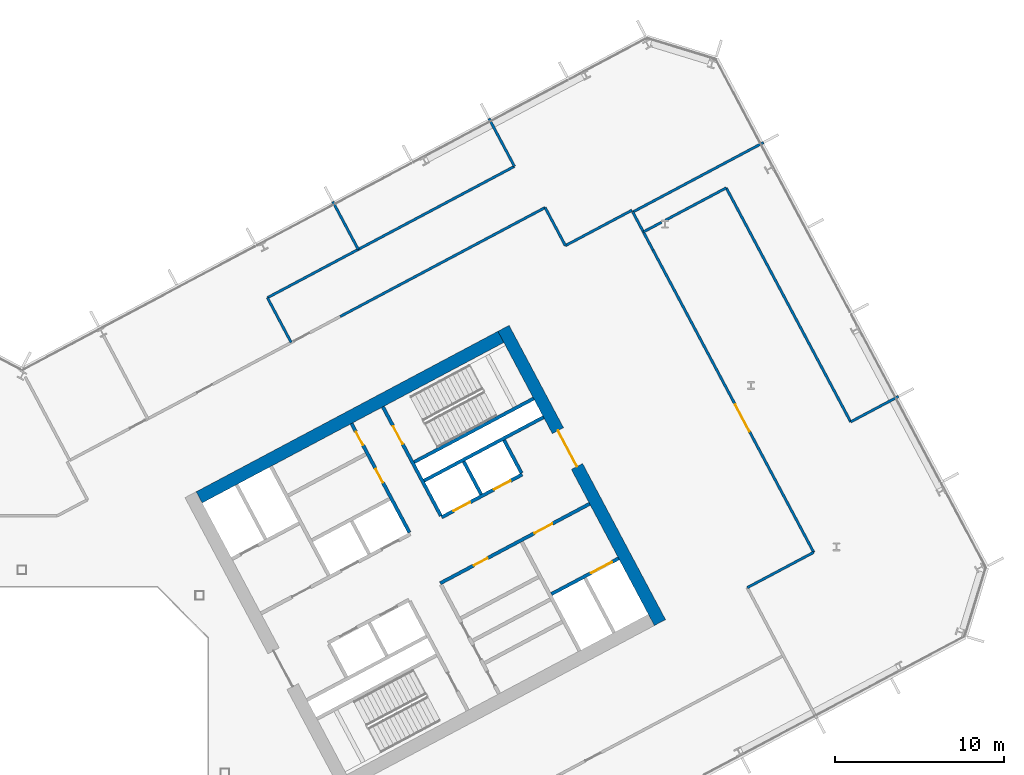
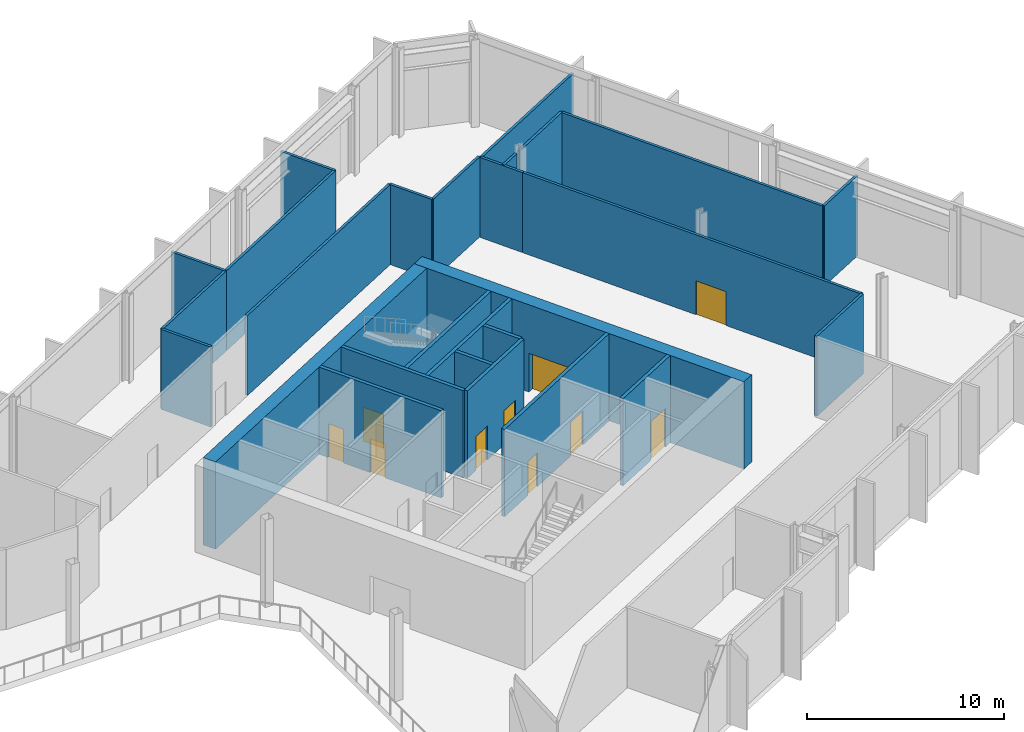
# One storey, part 17 of 31: 27 walls, 10 doors, 10 openings.
"""IFC4 building model written with IfcOpenShell, lengths in metres."""

from ifc_helpers import new_model, si_unit, direction, frame, frame_2d, origin, place, context, subcontext, project, spatial, rectangle, extrude, material, layer, layer_set, type_object, element, fill, save


model = new_model("IFC4")

# Units and contexts
model_context = context("Model", 3, precision=1e-05, world=origin(), true_north=direction((0.0, 1.0)))
body_context = subcontext(model_context, "Body", "Model", "MODEL_VIEW")
ifc_project = project(units=[si_unit("LENGTHUNIT", "METRE"), si_unit("AREAUNIT", "SQUARE_METRE"), si_unit("VOLUMEUNIT", "CUBIC_METRE"), si_unit("PLANEANGLEUNIT", "RADIAN"), si_unit("MASSUNIT", "GRAM", prefix="KILO")], contexts=[model_context])

# Site, building, storey
site_placement = place(None, origin())
site = spatial("IfcSite", under=ifc_project, at=site_placement, CompositionType="ELEMENT")
building_placement = place(site_placement, origin())
building = spatial("IfcBuilding", under=site, at=building_placement, Name="Cormorant Relay Tower", CompositionType="ELEMENT")
storey_placement = place(building_placement, frame((0.0, 0.0, 178.199951171875)))
storey = spatial("IfcBuildingStorey", under=building, at=storey_placement, Name="L38", CompositionType="ELEMENT", Elevation=178.199951171875)

# Wall
ifc_material_1 = material(Name="Concrete 40 MPa", Category="concrete")
ifc_layer_1 = layer(ifc_material_1, 0.199951171875)
ifc_layer_set_1 = layer_set([ifc_layer_1], Name="Core internal wall 200")
wall_type_1 = type_object("IfcWallType", Name="Core internal wall 200", PredefinedType="SOLIDWALL", material=ifc_layer_set_1)
wall_1_placement = place(storey_placement, frame((27.144287109375, 16.471435546875, 0.0), z_axis=(0.0, 0.0, 1.0), x_axis=(-0.469401318492, 0.882984938828, 0.0)))
element("IfcWall", 1, at=wall_1_placement, inside=storey, type_object=wall_type_1, Name="L38 core B shaft and room wall", PredefinedType="SOLIDWALL", context=body_context, shape_type="SweptSolid", body=[
    extrude(rectangle(XDim=2.199951171875, YDim=0.199951171875, at=frame_2d((1.10009765625, 0.0))), origin(), (0.0, 0.0, 1.0), 5.400146484375),
])

# Wall, openings, doors
ifc_material_2 = material(Name="Concrete 50 MPa", Category="concrete")
ifc_layer_2 = layer(ifc_material_2, 0.199951171875)
ifc_layer_set_2 = layer_set([ifc_layer_2], Name="Core shaft wall 200")
wall_type_2 = type_object("IfcWallType", Name="Core shaft wall 200", PredefinedType="SHEAR", material=ifc_layer_set_2)
wall_2_placement = place(storey_placement, frame((22.90625, 14.218017578125, 0.0), z_axis=(0.0, 0.0, 1.0), x_axis=(-0.469480409012, 0.88294288918, 0.0)))
wall_2 = element("IfcWall", 2, at=wall_2_placement, inside=storey, type_object=wall_type_2, Name="L38 core B shaft wall", PredefinedType="SHEAR", context=body_context, shape_type="SweptSolid", body=[
    extrude(rectangle(XDim=7.300048828125, YDim=0.199951171875, at=frame_2d((3.64990234375, 0.0))), origin(), (0.0, 0.0, 1.0), 5.400146484375),
])
opening_1_placement = place(wall_2_placement, frame((3.35009765625, 0.0, 0.0)))
opening_1 = element("IfcOpeningElement", 3, at=opening_1_placement, cuts=wall_2, Name="Opening CDD-076", PredefinedType="OPENING", context=body_context, shape_type="SweptSolid", body=[
    extrude(rectangle(XDim=0.89990234375, YDim=2.10009765625, at=frame_2d((0.449951171875, 1.050048828125))), frame((0.0, 0.10986328125, 0.0), z_axis=(0.0, -1.0, 0.0), x_axis=(1.0, 0.0, 0.0)), (0.0, 0.0, 1.0), 0.219970703125),
])
opening_2_placement = place(wall_2_placement, frame((5.85009765625, 0.0, 0.0)))
opening_2 = element("IfcOpeningElement", 4, at=opening_2_placement, cuts=wall_2, Name="Opening CDD-077", PredefinedType="OPENING", context=body_context, shape_type="SweptSolid", body=[
    extrude(rectangle(XDim=0.89990234375, YDim=2.10009765625, at=frame_2d((0.449951171875, 1.050048828125))), frame((0.0, 0.10986328125, 0.0), z_axis=(0.0, -1.0, 0.0), x_axis=(1.0, 0.0, 0.0)), (0.0, 0.0, 1.0), 0.219970703125),
])
ifc_material_3 = material(Name="Steel fire door", Category="steel")
door_type_1 = type_object("IfcDoorType", Name="Core room door 900x2100", OperationType="SINGLE_SWING_LEFT", PredefinedType="DOOR", material=ifc_material_3)
door_1_placement = place(opening_1_placement, origin())
door_1 = element("IfcDoor", 5, at=door_1_placement, inside=storey, type_object=door_type_1, Name="Core room door 900x2100", OperationType="SINGLE_SWING_RIGHT", OverallHeight=2.10009765625, OverallWidth=0.89990234375, PredefinedType="DOOR", context=body_context, shape_type="SweptSolid", body=[
    extrude(rectangle(XDim=0.89990234375, YDim=2.10009765625, at=frame_2d((0.449951171875, 1.050048828125))), frame((0.0, 0.02490234375, 0.0), z_axis=(0.0, -1.0, 0.0), x_axis=(1.0, 0.0, 0.0)), (0.0, 0.0, 1.0), 0.050048828125),
])
fill(opening_1, door_1)
door_2_placement = place(opening_2_placement, origin())
door_2 = element("IfcDoor", 6, at=door_2_placement, inside=storey, type_object=door_type_1, Name="Core room door 900x2100", OperationType="SINGLE_SWING_LEFT", OverallHeight=2.10009765625, OverallWidth=0.89990234375, PredefinedType="DOOR", context=body_context, shape_type="SweptSolid", body=[
    extrude(rectangle(XDim=0.89990234375, YDim=2.10009765625, at=frame_2d((0.449951171875, 1.050048828125))), frame((0.0, 0.02490234375, 0.0), z_axis=(0.0, -1.0, 0.0), x_axis=(1.0, 0.0, 0.0)), (0.0, 0.0, 1.0), 0.050048828125),
])
fill(opening_2, door_2)

# Wall, opening, door
wall_3_placement = place(storey_placement, frame((24.760498046875, 15.2041015625, 0.0), z_axis=(0.0, 0.0, 1.0), x_axis=(-0.469494272526, 0.882935517501, 0.0)))
wall_3 = element("IfcWall", 7, at=wall_3_placement, inside=storey, type_object=wall_type_2, Name="L38 core B shaft wall", PredefinedType="SHEAR", context=body_context, shape_type="SweptSolid", body=[
    extrude(rectangle(XDim=7.2998046875, YDim=0.199951171875, at=frame_2d((3.64990234375, 0.0))), origin(), (0.0, 0.0, 1.0), 5.400146484375),
])
opening_3_placement = place(wall_3_placement, frame((4.800048828125, 0.0, 0.0)))
opening_3 = element("IfcOpeningElement", 8, at=opening_3_placement, cuts=wall_3, Name="Opening CDB-022", PredefinedType="OPENING", context=body_context, shape_type="SweptSolid", body=[
    extrude(rectangle(XDim=1.199951171875, YDim=2.10009765625, at=frame_2d((0.60009765625, 1.050048828125))), frame((0.0, 0.10986328125, 0.0), z_axis=(0.0, -1.0, 0.0), x_axis=(1.0, 0.0, 0.0)), (0.0, 0.0, 1.0), 0.219970703125),
])
ifc_material_4 = material(Name="Steel fire door", Category="steel")
door_type_2 = type_object("IfcDoorType", Name="Core stair door 1200x2100", OperationType="SINGLE_SWING_LEFT", PredefinedType="DOOR", material=ifc_material_4)
door_3_placement = place(opening_3_placement, frame((1.199951171875, 0.0, 0.0), z_axis=(0.0, 0.0, 1.0), x_axis=(-1.0, 0.0, 0.0)))
door_3 = element("IfcDoor", 9, at=door_3_placement, inside=storey, type_object=door_type_2, Name="Core stair door 1200x2100", OperationType="SINGLE_SWING_RIGHT", OverallHeight=2.10009765625, OverallWidth=1.199951171875, PredefinedType="DOOR", context=body_context, shape_type="SweptSolid", body=[
    extrude(rectangle(XDim=1.199951171875, YDim=2.10009765625, at=frame_2d((0.60009765625, 1.050048828125))), frame((0.0, 0.02490234375, 0.0), z_axis=(0.0, -1.0, 0.0), x_axis=(1.0, 0.0, 0.0)), (0.0, 0.0, 1.0), 0.050048828125),
])
fill(opening_3, door_3)

# Wall
wall_4_placement = place(storey_placement, frame((29.5283203125, 17.739013671875, 0.0), z_axis=(0.0, 0.0, 1.0), x_axis=(-0.469401318492, 0.882984938828, 0.0)))
element("IfcWall", 10, at=wall_4_placement, inside=storey, type_object=wall_type_2, Name="L38 core B shaft wall", PredefinedType="SHEAR", context=body_context, shape_type="SweptSolid", body=[
    extrude(rectangle(XDim=2.199951171875, YDim=0.199951171875, at=frame_2d((1.10009765625, 0.0))), origin(), (0.0, 0.0, 1.0), 5.400146484375),
])

# Wall, opening, door
wall_5_placement = place(storey_placement, frame((31.295654296875, 10.5810546875, 0.0), z_axis=(0.0, 0.0, 1.0), x_axis=(0.882960433586, 0.469447412093, 0.0)))
wall_5 = element("IfcWall", 11, at=wall_5_placement, inside=storey, type_object=wall_type_2, Name="L38 core B shaft wall", PredefinedType="SHEAR", context=body_context, shape_type="SweptSolid", body=[
    extrude(rectangle(XDim=4.5, YDim=0.199951171875, at=frame_2d((2.25, 0.0))), origin(), (0.0, 0.0, 1.0), 5.400146484375),
])
opening_4_placement = place(wall_5_placement, frame((2.64990234375, 0.0, 0.0)))
opening_4 = element("IfcOpeningElement", 12, at=opening_4_placement, cuts=wall_5, Name="Opening LD3-008", PredefinedType="OPENING", context=body_context, shape_type="SweptSolid", body=[
    extrude(rectangle(XDim=1.39990234375, YDim=2.39990234375, at=frame_2d((0.699951171875, 1.199951171875))), frame((0.0, 0.10986328125, 0.0), z_axis=(0.0, -1.0, 0.0), x_axis=(1.0, 0.0, 0.0)), (0.0, 0.0, 1.0), 0.219970703125),
])
ifc_material_5 = material(Name="Stainless steel 316", Category="steel")
door_type_3 = type_object("IfcDoorType", Name="Lift landing door 1400x2400", OperationType="DOUBLE_DOOR_SLIDING", PredefinedType="DOOR", material=ifc_material_5)
door_4_placement = place(opening_4_placement, origin())
door_4 = element("IfcDoor", 13, at=door_4_placement, inside=storey, type_object=door_type_3, Name="SV2 landing door", OperationType="DOUBLE_DOOR_SLIDING", OverallHeight=2.39990234375, OverallWidth=1.39990234375, PredefinedType="DOOR", context=body_context, shape_type="SweptSolid", body=[
    extrude(rectangle(XDim=1.39990234375, YDim=2.39990234375, at=frame_2d((0.699951171875, 1.199951171875))), frame((0.0, 0.02490234375, 0.0), z_axis=(0.0, -1.0, 0.0), x_axis=(1.0, 0.0, 0.0)), (0.0, 0.0, 1.0), 0.050048828125),
])
fill(opening_4, door_4)

# Wall, openings, doors
wall_6_placement = place(storey_placement, frame((24.72607421875, 11.2216796875, 0.0), z_axis=(0.0, 0.0, 1.0), x_axis=(0.882940221191, 0.469485426614, 0.0)))
wall_6 = element("IfcWall", 14, at=wall_6_placement, inside=storey, type_object=wall_type_2, Name="L38 core B shaft wall", PredefinedType="SHEAR", context=body_context, shape_type="SweptSolid", body=[
    extrude(rectangle(XDim=10.0, YDim=0.199951171875, at=frame_2d((5.0, 0.0))), origin(), (0.0, 0.0, 1.0), 5.400146484375),
])
opening_5_placement = place(wall_6_placement, frame((6.300048828125, 0.0, 0.0)))
opening_5 = element("IfcOpeningElement", 15, at=opening_5_placement, cuts=wall_6, Name="Opening CDC-031", PredefinedType="OPENING", context=body_context, shape_type="SweptSolid", body=[
    extrude(rectangle(XDim=1.199951171875, YDim=2.10009765625, at=frame_2d((0.60009765625, 1.050048828125))), frame((0.0, 0.10986328125, 0.0), z_axis=(0.0, -1.0, 0.0), x_axis=(1.0, 0.0, 0.0)), (0.0, 0.0, 1.0), 0.219970703125),
])
opening_6_placement = place(wall_6_placement, frame((2.25, 0.0, 0.0)))
opening_6 = element("IfcOpeningElement", 16, at=opening_6_placement, cuts=wall_6, Name="Opening CDD-221", PredefinedType="OPENING", context=body_context, shape_type="SweptSolid", body=[
    extrude(rectangle(XDim=0.89990234375, YDim=2.10009765625, at=frame_2d((0.449951171875, 1.050048828125))), frame((0.0, 0.10986328125, 0.0), z_axis=(0.0, -1.0, 0.0), x_axis=(1.0, 0.0, 0.0)), (0.0, 0.0, 1.0), 0.219970703125),
])
ifc_material_6 = material(Name="Steel fire door", Category="steel")
door_type_4 = type_object("IfcDoorType", Name="Core lobby door 1200x2100", OperationType="SINGLE_SWING_LEFT", PredefinedType="DOOR", material=ifc_material_6)
door_5_placement = place(opening_5_placement, origin())
door_5 = element("IfcDoor", 17, at=door_5_placement, inside=storey, type_object=door_type_4, Name="Core lobby door 1200x2100", OperationType="SINGLE_SWING_LEFT", OverallHeight=2.10009765625, OverallWidth=1.199951171875, PredefinedType="DOOR", context=body_context, shape_type="SweptSolid", body=[
    extrude(rectangle(XDim=1.199951171875, YDim=2.10009765625, at=frame_2d((0.60009765625, 1.050048828125))), frame((0.0, 0.02490234375, 0.0), z_axis=(0.0, -1.0, 0.0), x_axis=(1.0, 0.0, 0.0)), (0.0, 0.0, 1.0), 0.050048828125),
])
fill(opening_5, door_5)
door_6_placement = place(opening_6_placement, origin())
door_6 = element("IfcDoor", 18, at=door_6_placement, inside=storey, type_object=door_type_1, Name="Core room door 900x2100", OperationType="SINGLE_SWING_LEFT", OverallHeight=2.10009765625, OverallWidth=0.89990234375, PredefinedType="DOOR", context=body_context, shape_type="SweptSolid", body=[
    extrude(rectangle(XDim=0.89990234375, YDim=2.10009765625, at=frame_2d((0.449951171875, 1.050048828125))), frame((0.0, 0.02490234375, 0.0), z_axis=(0.0, -1.0, 0.0), x_axis=(1.0, 0.0, 0.0)), (0.0, 0.0, 1.0), 0.050048828125),
])
fill(opening_6, door_6)

wall_7_placement = place(storey_placement, frame((24.807373046875, 15.11572265625, 0.0), z_axis=(0.0, 0.0, 1.0), x_axis=(0.882942972946, 0.469480251476, 0.0)))
wall_7 = element("IfcWall", 19, at=wall_7_placement, inside=storey, type_object=wall_type_2, Name="L38 core B shaft wall", PredefinedType="SHEAR", context=body_context, shape_type="SweptSolid", body=[
    extrude(rectangle(XDim=5.39990234375, YDim=0.199951171875, at=frame_2d((2.699951171875, 0.0))), origin(), (0.0, 0.0, 1.0), 5.400146484375),
])
opening_7_placement = place(wall_7_placement, frame((0.800048828125, 0.0, 0.0)))
opening_7 = element("IfcOpeningElement", 20, at=opening_7_placement, cuts=wall_7, Name="Opening LD1-022", PredefinedType="OPENING", context=body_context, shape_type="SweptSolid", body=[
    extrude(rectangle(XDim=1.10009765625, YDim=2.10009765625, at=frame_2d((0.550048828125, 1.050048828125))), frame((0.0, 0.10986328125, 0.0), z_axis=(0.0, -1.0, 0.0), x_axis=(1.0, 0.0, 0.0)), (0.0, 0.0, 1.0), 0.219970703125),
])
opening_8_placement = place(wall_7_placement, frame((3.5, 0.0, 0.0)))
opening_8 = element("IfcOpeningElement", 21, at=opening_8_placement, cuts=wall_7, Name="Opening LD1-023", PredefinedType="OPENING", context=body_context, shape_type="SweptSolid", body=[
    extrude(rectangle(XDim=1.10009765625, YDim=2.10009765625, at=frame_2d((0.550048828125, 1.050048828125))), frame((0.0, 0.10986328125, 0.0), z_axis=(0.0, -1.0, 0.0), x_axis=(1.0, 0.0, 0.0)), (0.0, 0.0, 1.0), 0.219970703125),
])
ifc_material_7 = material(Name="Stainless steel 316", Category="steel")
door_type_5 = type_object("IfcDoorType", Name="Lift landing door 1100x2100", OperationType="DOUBLE_DOOR_SLIDING", PredefinedType="DOOR", material=ifc_material_7)
door_7_placement = place(opening_7_placement, origin())
door_7 = element("IfcDoor", 22, at=door_7_placement, inside=storey, type_object=door_type_5, Name="LR3 landing door", OperationType="DOUBLE_DOOR_SLIDING", OverallHeight=2.10009765625, OverallWidth=1.10009765625, PredefinedType="DOOR", context=body_context, shape_type="SweptSolid", body=[
    extrude(rectangle(XDim=1.10009765625, YDim=2.10009765625, at=frame_2d((0.550048828125, 1.050048828125))), frame((0.0, 0.02490234375, 0.0), z_axis=(0.0, -1.0, 0.0), x_axis=(1.0, 0.0, 0.0)), (0.0, 0.0, 1.0), 0.050048828125),
])
fill(opening_7, door_7)
door_8_placement = place(opening_8_placement, origin())
door_8 = element("IfcDoor", 23, at=door_8_placement, inside=storey, type_object=door_type_5, Name="LR4 landing door", OperationType="DOUBLE_DOOR_SLIDING", OverallHeight=2.10009765625, OverallWidth=1.10009765625, PredefinedType="DOOR", context=body_context, shape_type="SweptSolid", body=[
    extrude(rectangle(XDim=1.10009765625, YDim=2.10009765625, at=frame_2d((0.550048828125, 1.050048828125))), frame((0.0, 0.02490234375, 0.0), z_axis=(0.0, -1.0, 0.0), x_axis=(1.0, 0.0, 0.0)), (0.0, 0.0, 1.0), 0.050048828125),
])
fill(opening_8, door_8)

# Walls
wall_8_placement = place(storey_placement, frame((23.76904296875, 17.28173828125, 0.0), z_axis=(0.0, 0.0, 1.0), x_axis=(0.882940221191, 0.469485426614, 0.0)))
element("IfcWall", 24, at=wall_8_placement, inside=storey, type_object=wall_type_2, Name="L38 core B shaft wall", PredefinedType="SHEAR", context=body_context, shape_type="SweptSolid", body=[
    extrude(rectangle(XDim=8.0, YDim=0.199951171875, at=frame_2d((4.0, 0.0))), origin(), (0.0, 0.0, 1.0), 5.400146484375),
])
wall_9_placement = place(storey_placement, frame((23.18212890625, 18.385498046875, 0.0), z_axis=(0.0, 0.0, 1.0), x_axis=(0.88295287151, 0.469461634952, 0.0)))
element("IfcWall", 25, at=wall_9_placement, inside=storey, type_object=wall_type_2, Name="L38 core B shaft wall", PredefinedType="SHEAR", context=body_context, shape_type="SweptSolid", body=[
    extrude(rectangle(XDim=7.999755859375, YDim=0.199951171875, at=frame_2d((4.0, 0.0))), origin(), (0.0, 0.0, 1.0), 5.400146484375),
])

# Wall, opening, door
ifc_material_8 = material(Name="Concrete 60 MPa", Category="concrete")
ifc_layer_3 = layer(ifc_material_8, 0.75)
ifc_layer_set_3 = layer_set([ifc_layer_3], Name="Core wall 750")
wall_type_3 = type_object("IfcWallType", Name="Core wall 750", PredefinedType="SHEAR", material=ifc_layer_set_3)
wall_10_placement = place(storey_placement, frame((37.712646484375, 8.896484375, 0.0), z_axis=(0.0, 0.0, 1.0), x_axis=(-0.469469918705, 0.88294846703, 0.0)))
wall_10 = element("IfcWall", 26, at=wall_10_placement, inside=storey, type_object=wall_type_3, Name="L38 core B wall", PredefinedType="SHEAR", context=body_context, shape_type="SweptSolid", body=[
    extrude(rectangle(XDim=19.699951171875, YDim=0.75, at=frame_2d((9.85009765625, 0.0))), origin(), (0.0, 0.0, 1.0), 5.400146484375),
])
opening_9_placement = place(wall_10_placement, frame((10.449951171875, 0.0, 0.0)))
opening_9 = element("IfcOpeningElement", 27, at=opening_9_placement, cuts=wall_10, Name="Opening CDA-035", PredefinedType="OPENING", context=body_context, shape_type="SweptSolid", body=[
    extrude(rectangle(XDim=2.39990234375, YDim=2.39990234375, at=frame_2d((1.199951171875, 1.199951171875))), frame((0.0, 0.385009765625, 0.0), z_axis=(0.0, -1.0, 0.0), x_axis=(1.0, 0.0, 0.0)), (0.0, 0.0, 1.0), 0.77001953125),
])
ifc_material_9 = material(Name="Steel fire door", Category="steel")
door_type_6 = type_object("IfcDoorType", Name="Core lobby door 2400x2400", OperationType="DOUBLE_DOOR_SINGLE_SWING", PredefinedType="DOOR", material=ifc_material_9)
door_9_placement = place(opening_9_placement, origin())
door_9 = element("IfcDoor", 28, at=door_9_placement, inside=storey, type_object=door_type_6, Name="Core lobby door 2400x2400", OperationType="DOUBLE_DOOR_SINGLE_SWING", OverallHeight=2.39990234375, OverallWidth=2.39990234375, PredefinedType="DOOR", context=body_context, shape_type="SweptSolid", body=[
    extrude(rectangle(XDim=2.39990234375, YDim=2.39990234375, at=frame_2d((1.199951171875, 1.199951171875))), frame((0.0, 0.02490234375, 0.0), z_axis=(0.0, -1.0, 0.0), x_axis=(1.0, 0.0, 0.0)), (0.0, 0.0, 1.0), 0.050048828125),
])
fill(opening_9, door_9)

# Walls
wall_11_placement = place(storey_placement, frame((10.4736328125, 16.300048828125, 0.0), z_axis=(0.0, 0.0, 1.0), x_axis=(0.88295010195, 0.469466843842, 0.0)))
element("IfcWall", 29, at=wall_11_placement, inside=storey, type_object=wall_type_3, Name="L38 core B wall", PredefinedType="SHEAR", context=body_context, shape_type="SweptSolid", body=[
    extrude(rectangle(XDim=20.199951171875, YDim=0.75, at=frame_2d((10.10009765625, 0.0))), origin(), (0.0, 0.0, 1.0), 5.400146484375),
])
ifc_material_10 = material(Name="Gypsum board fire partition")
ifc_layer_4 = layer(ifc_material_10, 0.14990234375)
ifc_layer_set_4 = layer_set([ifc_layer_4], Name="Corridor partition 150 EI 60")
wall_type_4 = type_object("IfcWallType", Name="Corridor partition 150 EI 60", PredefinedType="PARTITIONING", material=ifc_layer_set_4)
wall_12_placement = place(storey_placement, frame((32.1201171875, 31.18310546875, 0.0), z_axis=(0.0, 0.0, 1.0), x_axis=(-0.469737002115, 0.882806405077, 0.0)))
element("IfcWall", 30, at=wall_12_placement, inside=storey, type_object=wall_type_4, Name="wall/L38/part/056", PredefinedType="PARTITIONING", context=body_context, shape_type="SweptSolid", body=[
    extrude(rectangle(XDim=2.546142578125, YDim=0.14990234375, at=frame_2d((1.27294921875, 0.0))), origin(), (0.0, 0.0, 1.0), 4.949951171875),
])
wall_13_placement = place(storey_placement, frame((18.806884765625, 26.988037109375, 0.0), z_axis=(0.0, 0.0, 1.0), x_axis=(0.882961819029, 0.469444806273, 0.0)))
element("IfcWall", 31, at=wall_13_placement, inside=storey, type_object=wall_type_4, Name="wall/L38/part/057", PredefinedType="PARTITIONING", context=body_context, shape_type="SweptSolid", body=[
    extrude(rectangle(XDim=13.724365234375, YDim=0.14990234375, at=frame_2d((6.8623046875, 0.0))), origin(), (0.0, 0.0, 1.0), 4.949951171875),
])
wall_14_placement = place(storey_placement, frame((32.1220703125, 31.179931640625, 0.0), z_axis=(0.0, 0.0, 1.0), x_axis=(0.882897554083, 0.469565659939, 0.0)))
element("IfcWall", 32, at=wall_14_placement, inside=storey, type_object=wall_type_4, Name="wall/L38/part/063", PredefinedType="PARTITIONING", context=body_context, shape_type="SweptSolid", body=[
    extrude(rectangle(XDim=4.449951171875, YDim=0.14990234375, at=frame_2d((2.22509765625, 0.0))), origin(), (0.0, 0.0, 1.0), 4.949951171875),
])
wall_15_placement = place(storey_placement, frame((36.10400390625, 33.1689453125, 0.0), z_axis=(0.0, 0.0, 1.0), x_axis=(0.46953826462, -0.882912123633, 0.0)))
element("IfcWall", 33, at=wall_15_placement, inside=storey, type_object=wall_type_4, Name="wall/L38/part/064", PredefinedType="PARTITIONING", context=body_context, shape_type="SweptSolid", body=[
    extrude(rectangle(XDim=2.54736328125, YDim=0.14990234375, at=frame_2d((1.273681640625, 0.0))), origin(), (0.0, 0.0, 1.0), 4.949951171875),
])

# Wall, opening, door
wall_16_placement = place(storey_placement, frame((37.300048828125, 30.919921875, 0.0), z_axis=(0.0, 0.0, 1.0), x_axis=(0.469485933673, -0.882939951573, 0.0)))
wall_16 = element("IfcWall", 34, at=wall_16_placement, inside=storey, type_object=wall_type_4, Name="wall/L38/part/070", PredefinedType="PARTITIONING", context=body_context, shape_type="SweptSolid", body=[
    extrude(rectangle(XDim=20.239013671875, YDim=0.14990234375, at=frame_2d((10.11962890625, 0.0))), origin(), (0.0, 0.0, 1.0), 4.949951171875),
])
opening_10_placement = place(wall_16_placement, frame((10.35009765625, 0.0, 0.0)))
opening_10 = element("IfcOpeningElement", 35, at=opening_10_placement, cuts=wall_16, Name="Opening DD-021", PredefinedType="OPENING", context=body_context, shape_type="SweptSolid", body=[
    extrude(rectangle(XDim=1.800048828125, YDim=2.10009765625, at=frame_2d((0.89990234375, 1.050048828125))), frame((0.0, 0.0849609375, 0.0), z_axis=(0.0, -1.0, 0.0), x_axis=(1.0, 0.0, 0.0)), (0.0, 0.0, 1.0), 0.169921875),
])
ifc_material_11 = material(Name="Timber door leaf", Category="wood")
door_type_7 = type_object("IfcDoorType", Name="Suite double door 1800x2100", OperationType="DOUBLE_DOOR_SINGLE_SWING", PredefinedType="DOOR", material=ifc_material_11)
door_10_placement = place(opening_10_placement, origin())
door_10 = element("IfcDoor", 36, at=door_10_placement, inside=storey, type_object=door_type_7, Name="door/L38/005", OperationType="DOUBLE_DOOR_SINGLE_SWING", OverallHeight=2.10009765625, OverallWidth=1.800048828125, PredefinedType="DOOR", context=body_context, shape_type="SweptSolid", body=[
    extrude(rectangle(XDim=1.800048828125, YDim=2.10009765625, at=frame_2d((0.89990234375, 1.050048828125))), frame((0.0, 0.02490234375, 0.0), z_axis=(0.0, -1.0, 0.0), x_axis=(1.0, 0.0, 0.0)), (0.0, 0.0, 1.0), 0.050048828125),
])
fill(opening_10, door_10)

# Walls
wall_17_placement = place(storey_placement, frame((46.802001953125, 13.050048828125, 0.0), z_axis=(0.0, 0.0, 1.0), x_axis=(-0.882883049263, -0.469592931509, 0.0)))
element("IfcWall", 37, at=wall_17_placement, inside=storey, type_object=wall_type_4, Name="wall/L38/part/071", PredefinedType="PARTITIONING", context=body_context, shape_type="SweptSolid", body=[
    extrude(rectangle(XDim=4.444580078125, YDim=0.14990234375, at=frame_2d((2.22216796875, 0.0))), origin(), (0.0, 0.0, 1.0), 4.949951171875),
])
ifc_material_12 = material(Name="Gypsum board partition")
ifc_layer_5 = layer(ifc_material_12, 0.14990234375)
ifc_layer_set_5 = layer_set([ifc_layer_5], Name="Tenant partition 150")
wall_type_5 = type_object("IfcWallType", Name="Tenant partition 150", PredefinedType="PARTITIONING", material=ifc_layer_set_5)
wall_18_placement = place(storey_placement, frame((14.507080078125, 28.10009765625, 0.0), z_axis=(0.0, 0.0, 1.0), x_axis=(0.468983907772, -0.883206710941, 0.0)))
element("IfcWall", 38, at=wall_18_placement, inside=storey, type_object=wall_type_5, Name="wall/L38/part/053", PredefinedType="PARTITIONING", context=body_context, shape_type="SweptSolid", body=[
    extrude(rectangle(XDim=2.987060546875, YDim=0.14990234375, at=frame_2d((1.49365234375, 0.0))), origin(), (0.0, 0.0, 1.0), 4.949951171875),
])
wall_19_placement = place(storey_placement, frame((14.506103515625, 28.09912109375, 0.0), z_axis=(0.0, 0.0, 1.0), x_axis=(0.882904988305, 0.469551681528, 0.0)))
element("IfcWall", 39, at=wall_19_placement, inside=storey, type_object=wall_type_5, Name="wall/L38/part/054", PredefinedType="PARTITIONING", context=body_context, shape_type="SweptSolid", body=[
    extrude(rectangle(XDim=6.07763671875, YDim=0.14990234375, at=frame_2d((3.038818359375, 0.0))), origin(), (0.0, 0.0, 1.0), 4.949951171875),
])
wall_20_placement = place(storey_placement, frame((18.3740234375, 33.780029296875, 0.0), z_axis=(0.0, 0.0, 1.0), x_axis=(0.469685095616, -0.882834022315, 0.0)))
element("IfcWall", 40, at=wall_20_placement, inside=storey, type_object=wall_type_5, Name="wall/L38/part/055", PredefinedType="PARTITIONING", context=body_context, shape_type="SweptSolid", body=[
    extrude(rectangle(XDim=3.199951171875, YDim=0.14990234375, at=frame_2d((1.60009765625, 0.0))), origin(), (0.0, 0.0, 1.0), 4.949951171875),
])
wall_21_placement = place(storey_placement, frame((19.8720703125, 30.952880859375, 0.0), z_axis=(0.0, 0.0, 1.0), x_axis=(0.882941336492, 0.469483329111, 0.0)))
element("IfcWall", 41, at=wall_21_placement, inside=storey, type_object=wall_type_5, Name="wall/L38/part/058", PredefinedType="PARTITIONING", context=body_context, shape_type="SweptSolid", body=[
    extrude(rectangle(XDim=10.462890625, YDim=0.14990234375, at=frame_2d((5.2314453125, 0.0))), origin(), (0.0, 0.0, 1.0), 4.949951171875),
])
wall_22_placement = place(storey_placement, frame((29.110107421875, 35.864990234375, 0.0), z_axis=(0.0, 0.0, 1.0), x_axis=(-0.469142209738, 0.883122634203, 0.0)))
element("IfcWall", 42, at=wall_22_placement, inside=storey, type_object=wall_type_5, Name="wall/L38/part/059", PredefinedType="PARTITIONING", context=body_context, shape_type="SweptSolid", body=[
    extrude(rectangle(XDim=3.199951171875, YDim=0.14990234375, at=frame_2d((1.60009765625, 0.0))), origin(), (0.0, 0.0, 1.0), 4.949951171875),
])
wall_23_placement = place(storey_placement, frame((43.83203125, 37.27392578125, 0.0), z_axis=(0.0, 0.0, 1.0), x_axis=(-0.882953105758, -0.469461194384, 0.0)))
element("IfcWall", 43, at=wall_23_placement, inside=storey, type_object=wall_type_5, Name="wall/L38/part/065", PredefinedType="PARTITIONING", context=body_context, shape_type="SweptSolid", body=[
    extrude(rectangle(XDim=8.750244140625, YDim=0.14990234375, at=frame_2d((4.375, 0.0))), origin(), (0.0, 0.0, 1.0), 4.949951171875),
])
wall_24_placement = place(storey_placement, frame((36.73193359375, 31.989013671875, 0.0), z_axis=(0.0, 0.0, 1.0), x_axis=(0.882946743373, 0.469473160434, 0.0)))
element("IfcWall", 44, at=wall_24_placement, inside=storey, type_object=wall_type_5, Name="wall/L38/part/066", PredefinedType="PARTITIONING", context=body_context, shape_type="SweptSolid", body=[
    extrude(rectangle(XDim=1.21630859375, YDim=0.14990234375, at=frame_2d((0.608154296875, 0.0))), origin(), (0.0, 0.0, 1.0), 4.949951171875),
])
wall_25_placement = place(storey_placement, frame((38.0380859375, 32.68310546875, 0.0), z_axis=(0.0, 0.0, 1.0), x_axis=(0.88295491585, 0.469457789984, 0.0)))
element("IfcWall", 45, at=wall_25_placement, inside=storey, type_object=wall_type_5, Name="wall/L38/part/067", PredefinedType="PARTITIONING", context=body_context, shape_type="SweptSolid", body=[
    extrude(rectangle(XDim=4.0703125, YDim=0.14990234375, at=frame_2d((2.03515625, 0.0))), origin(), (0.0, 0.0, 1.0), 4.949951171875),
])
wall_26_placement = place(storey_placement, frame((41.632080078125, 34.593994140625, 0.0), z_axis=(0.0, 0.0, 1.0), x_axis=(0.469489427625, -0.882938093724, 0.0)))
element("IfcWall", 46, at=wall_26_placement, inside=storey, type_object=wall_type_5, Name="wall/L38/part/068", PredefinedType="PARTITIONING", context=body_context, shape_type="SweptSolid", body=[
    extrude(rectangle(XDim=15.666015625, YDim=0.14990234375, at=frame_2d((7.8330078125, 0.0))), origin(), (0.0, 0.0, 1.0), 4.949951171875),
])
wall_27_placement = place(storey_placement, frame((48.987060546875, 20.761962890625, 0.0), z_axis=(0.0, 0.0, 1.0), x_axis=(0.883027796121, 0.469320691295, 0.0)))
element("IfcWall", 47, at=wall_27_placement, inside=storey, type_object=wall_type_5, Name="wall/L38/part/069", PredefinedType="PARTITIONING", context=body_context, shape_type="SweptSolid", body=[
    extrude(rectangle(XDim=3.2001953125, YDim=0.14990234375, at=frame_2d((1.60009765625, 0.0))), origin(), (0.0, 0.0, 1.0), 4.949951171875),
])

save(model, "model.ifc")
